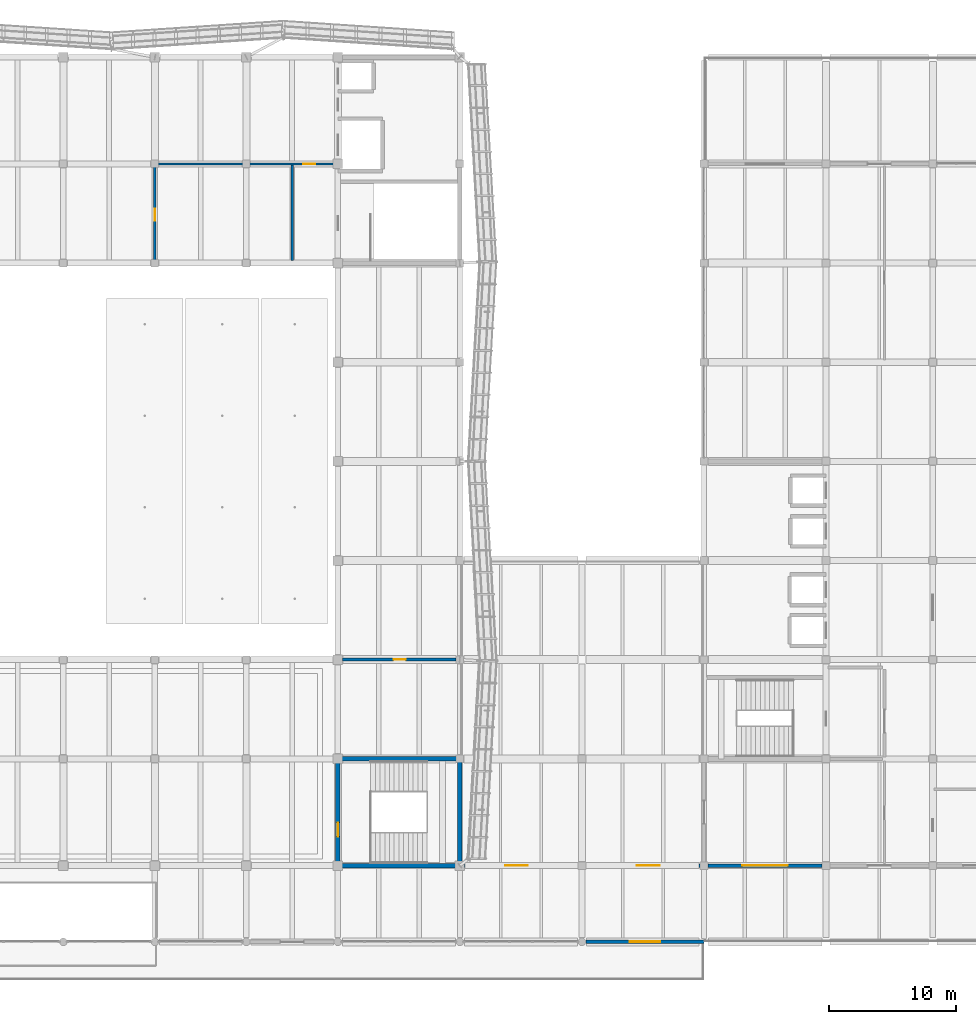
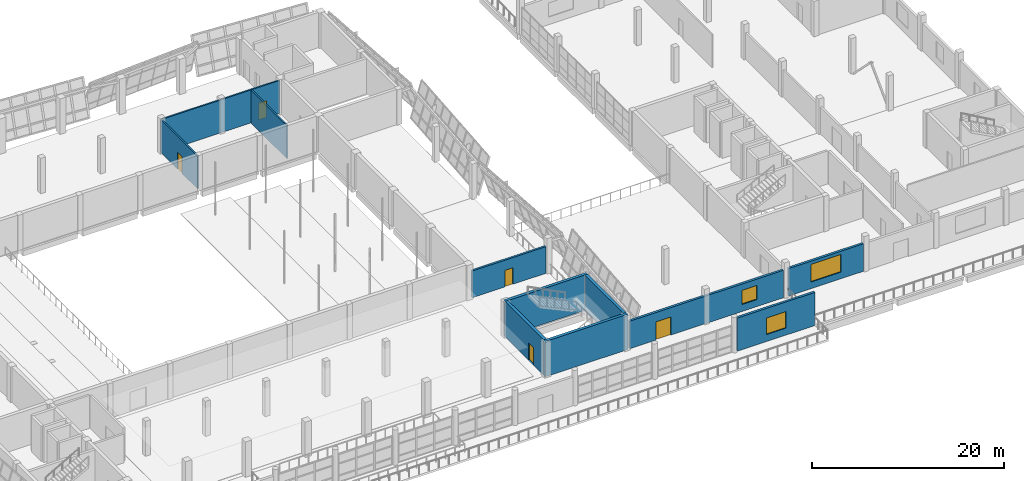
# One storey, part 56 of 71: 11 walls, 5 doors, 3 windows, 8 openings.
"""IFC4 building model written with IfcOpenShell, lengths in metres."""

import ifcopenshell
import ifcopenshell.guid

model = None  # the IFC model being written
_history = None  # IfcOwnerHistory: only IFC2X3 demands one
_inside = {}  # id of a spatial element -> (the spatial element, [elements in it])
_under = {}  # id of a project, library or spatial element -> (it, [spatial elements below it])
_declared = {}  # id of a project -> (the project, [libraries it declares])
_typed = {}  # id of a type object -> (the type object, [elements of that type])
_made_of = {}  # id of a material, layer set ... -> (it, [elements and type objects made of it])


def new_model(schema):
    """Start an empty IFC model of exactly this schema.

    Asked for "IFC4X3", IfcOpenShell would pick the latest addendum, in which some entities
    have other attributes; the version numbers below select the first issue.
    IFC2X3 requires an IfcOwnerHistory on every rooted entity: one is made here for all.
    """
    global model, _history
    if schema == "IFC4X3":
        model = ifcopenshell.file(schema_version=(4, 3, 0, 0))
    else:
        model = ifcopenshell.file(schema=schema)
    _inside.clear()
    _under.clear()
    _declared.clear()
    _typed.clear()
    _made_of.clear()
    _history = None
    if model.schema == "IFC2X3":
        org = make("IfcOrganization", Name="unknown")
        user = make(
            "IfcPersonAndOrganization",
            ThePerson=make("IfcPerson", FamilyName="unknown"),
            TheOrganization=org,
        )
        app = make(
            "IfcApplication",
            ApplicationDeveloper=org,
            Version="unknown",
            ApplicationFullName="unknown",
            ApplicationIdentifier="unknown",
        )
        _history = make(
            "IfcOwnerHistory",
            OwningUser=user,
            OwningApplication=app,
            ChangeAction="ADDED",
            CreationDate=0,
        )
    return model


def make(cls, **values):
    """One entity of the class cls with the attributes given. An attribute that is None is left unset."""
    return model.create_entity(
        cls, **{name: value for name, value in values.items() if value is not None}
    )


def rooted(cls, **values):
    """An entity with a GlobalId (a new one), such as an element, a storey or a relation."""
    return make(cls, GlobalId=ifcopenshell.guid.new(), OwnerHistory=_history, **values)


def si_unit(unit_type, name, prefix=None):
    """IfcSIUnit, for example si_unit("LENGTHUNIT", "METRE", prefix="MILLI")."""
    return make("IfcSIUnit", UnitType=unit_type, Prefix=prefix, Name=name)


def assignment(units):
    """IfcUnitAssignment: the units of a project."""
    return None if units is None else make("IfcUnitAssignment", Units=units)


def point(xyz):
    """IfcCartesianPoint."""
    return None if xyz is None else make("IfcCartesianPoint", Coordinates=xyz)


def direction(xyz):
    """IfcDirection."""
    return None if xyz is None else make("IfcDirection", DirectionRatios=xyz)


def frame(location, z_axis=None, x_axis=None):
    """IfcAxis2Placement3D, a coordinate frame: its origin and axes. An axis left out is left unset."""
    return make(
        "IfcAxis2Placement3D",
        Location=point(location),
        Axis=direction(z_axis),
        RefDirection=direction(x_axis),
    )


def frame_2d(location, x_axis=None):
    """IfcAxis2Placement2D, a coordinate frame in the plane: its origin and x axis."""
    return make(
        "IfcAxis2Placement2D", Location=point(location), RefDirection=direction(x_axis)
    )


def origin():
    """The frame at (0, 0, 0) with its axes left unset."""
    return frame((0.0, 0.0, 0.0))


def place(relative_to, where):
    """IfcLocalPlacement: puts the frame where relative to a parent placement (None: the world)."""
    return make(
        "IfcLocalPlacement", PlacementRelTo=relative_to, RelativePlacement=where
    )


def context(
    kind, dimensions, precision=None, world=None, true_north=None, identifier=None
):
    """IfcGeometricRepresentationContext, for example the 3D "Model" context."""
    return make(
        "IfcGeometricRepresentationContext",
        ContextIdentifier=identifier,
        ContextType=kind,
        CoordinateSpaceDimension=dimensions,
        Precision=precision,
        WorldCoordinateSystem=world,
        TrueNorth=true_north,
    )


def subcontext(parent, identifier, kind, view, scale=None):
    """IfcGeometricRepresentationSubContext, for example "Body" below "Model"."""
    return make(
        "IfcGeometricRepresentationSubContext",
        ContextIdentifier=identifier,
        ContextType=kind,
        ParentContext=parent,
        TargetScale=scale,
        TargetView=view,
    )


def project(units=None, contexts=None):
    """IfcProject with its units and contexts."""
    return rooted(
        "IfcProject",
        Name="project",
        RepresentationContexts=contexts,
        UnitsInContext=assignment(units),
    )


def spatial(cls, under=None, at=None, **own):
    """A site, building, storey or space (cls), placed at a placement, below another one or the project."""
    s = rooted(cls, ObjectPlacement=at, **own)
    if under is not None:
        _under.setdefault(under.id(), (under, []))[1].append(s)
    return s


def profile(cls, at=None, kind="AREA", **sizes):
    """A parametric profile (cls). Its sizes go by their IFC names, for example OverallWidth=200.0."""
    return make(cls, ProfileType=kind, Position=at, **sizes)


def rectangle(**sizes):
    """IfcRectangleProfileDef."""
    return profile("IfcRectangleProfileDef", **sizes)


def extrude(swept, where, along, depth):
    """IfcExtrudedAreaSolid: the profile swept, set in the frame where, extruded along a direction by depth."""
    return make(
        "IfcExtrudedAreaSolid",
        SweptArea=swept,
        Position=where,
        ExtrudedDirection=direction(along),
        Depth=depth,
    )


def shape(context_of_items, identifier, shape_type, items):
    """IfcShapeRepresentation: the items that make up one representation, for example the "Body"."""
    return make(
        "IfcShapeRepresentation",
        ContextOfItems=context_of_items,
        RepresentationIdentifier=identifier,
        RepresentationType=shape_type,
        Items=items,
    )


def material(Name=None, Category=None):
    """IfcMaterial."""
    return make("IfcMaterial", Name=Name, Category=Category)


def layer(
    of_material, thickness, ventilated=None, Name=None, Category=None, Priority=None
):
    """IfcMaterialLayer: one layer of a wall or slab, of a material (None: an air gap)."""
    return make(
        "IfcMaterialLayer",
        Material=of_material,
        LayerThickness=thickness,
        IsVentilated=ventilated,
        Name=Name,
        Category=Category,
        Priority=Priority,
    )


def layer_set(layers, Name=None):
    """IfcMaterialLayerSet."""
    return make("IfcMaterialLayerSet", MaterialLayers=layers, LayerSetName=Name)


def made_of(thing, what):
    """Note that an element or type object is made of a material, layer set ...; save() writes the relation."""
    if what is not None:
        _made_of.setdefault(what.id(), (what, []))[1].append(thing)
    return thing


def type_object(cls, material=None, **own):
    """A type object (cls), such as IfcWallType, which elements share."""
    return made_of(rooted(cls, **own), material)


def element(
    cls,
    number,
    at=None,
    inside=None,
    cuts=None,
    type_object=None,
    material=None,
    context=None,
    identifier="Body",
    shape_type=None,
    held_by="IfcProductDefinitionShape",
    body=None,
    shapes=None,
    **own,
):
    """One element of the class cls, such as IfcWall. Its Tag is "e" and its number.

    at: its placement. inside: the storey or other place that contains it. cuts: it is an
    opening in that element (IfcRelVoidsElement). A single representation is given by context,
    identifier, shape_type and body (its items); several are given by shapes. held_by: the class
    of the entity that holds the representations. save() writes the other relations.
    """
    e = rooted(cls, Tag="e%d" % number, ObjectPlacement=at, **own)
    if body is not None:
        shapes = [shape(context, identifier, shape_type, body)]
    if shapes is not None:
        e.Representation = make(held_by, Representations=shapes)
    if inside is not None:
        _inside.setdefault(inside.id(), (inside, []))[1].append(e)
    if cuts is not None:
        rooted(
            "IfcRelVoidsElement", RelatingBuildingElement=cuts, RelatedOpeningElement=e
        )
    if type_object is not None:
        _typed.setdefault(type_object.id(), (type_object, []))[1].append(e)
    return made_of(e, material)


def fill(opening, filler):
    """IfcRelFillsElement: the door or window that sits in an opening."""
    return rooted(
        "IfcRelFillsElement",
        RelatingOpeningElement=opening,
        RelatedBuildingElement=filler,
    )


def aggregate(whole, parts):
    """IfcRelAggregates: a whole, such as a stair, and the parts it consists of."""
    return rooted("IfcRelAggregates", RelatingObject=whole, RelatedObjects=parts)


def save(model, path):
    """Write the relations noted so far, then the file.

    IfcRelAggregates (storeys below a building ...), IfcRelContainedInSpatialStructure (elements
    in a storey), IfcRelDefinesByType, IfcRelAssociatesMaterial and IfcRelDeclares: one each for
    every whole, place, type object, material and project.
    """
    for whole, parts in _under.values():
        aggregate(whole, parts)
    for where, things in _inside.values():
        rooted(
            "IfcRelContainedInSpatialStructure",
            RelatedElements=things,
            RelatingStructure=where,
        )
    for kind, things in _typed.values():
        rooted("IfcRelDefinesByType", RelatedObjects=things, RelatingType=kind)
    for what, things in _made_of.values():
        rooted("IfcRelAssociatesMaterial", RelatedObjects=things, RelatingMaterial=what)
    for by, libraries in _declared.values():
        rooted("IfcRelDeclares", RelatingContext=by, RelatedDefinitions=libraries)
    model.write(path)


model = new_model("IFC4")

# Units and contexts
model_context = context("Model", 3, precision=1e-05, world=origin(), true_north=direction((0.0, 1.0)))
body_context = subcontext(model_context, "Body", "Model", "MODEL_VIEW")
ifc_project = project(units=[si_unit("LENGTHUNIT", "METRE"), si_unit("AREAUNIT", "SQUARE_METRE"), si_unit("VOLUMEUNIT", "CUBIC_METRE"), si_unit("PLANEANGLEUNIT", "RADIAN"), si_unit("MASSUNIT", "GRAM", prefix="KILO")], contexts=[model_context])

# Site, building, storey
site_placement = place(None, origin())
site = spatial("IfcSite", under=ifc_project, at=site_placement, CompositionType="ELEMENT")
building_placement = place(site_placement, origin())
building = spatial("IfcBuilding", under=site, at=building_placement, Name="Pellamere Symphony Hall", CompositionType="ELEMENT")
storey_placement = place(building_placement, frame((0.0, 0.0, 15.0)))
storey = spatial("IfcBuildingStorey", under=building, at=storey_placement, Name="L03", CompositionType="ELEMENT", Elevation=15.0)

# Wall, opening, window
ifc_material_1 = material(Name="Architectural Limestone-Clad Insulated Backing Assembly", Category="masonry")
ifc_layer_1 = layer(ifc_material_1, 0.280029296875, Name="Architectural Limestone-Clad Insulated Backing Assembly")
ifc_layer_set_1 = layer_set([ifc_layer_1], Name="Architectural Limestone-Clad Insulated Backing Assembly")
wall_type_1 = type_object("IfcWallType", Name="Exterior Wall EW-03 280mm", PredefinedType="SOLIDWALL", material=ifc_layer_set_1)
wall_1_placement = place(storey_placement, frame((128.699951171875, 24.0, 0.0), z_axis=(0.0, 0.0, 1.0), x_axis=(1.0, 0.0, 0.0)))
wall_1 = element("IfcWall", 1, at=wall_1_placement, inside=storey, type_object=wall_type_1, Name="Exterior Wall EW-03-055 (L03)", PredefinedType="SOLIDWALL", context=body_context, shape_type="SweptSolid", body=[
    extrude(rectangle(XDim=9.300048828125, YDim=0.280029296875, at=frame_2d((4.64990234375, 0.0))), origin(), (0.0, 0.0, 1.0), 4.219970703125),
])
opening_1_placement = place(wall_1_placement, frame((3.449951171875, 0.0, 0.89990234375)))
opening_1 = element("IfcOpeningElement", 2, at=opening_1_placement, cuts=wall_1, Name="Opening W032", PredefinedType="OPENING", context=body_context, shape_type="SweptSolid", body=[
    extrude(rectangle(XDim=2.39990234375, YDim=2.10009765625, at=frame_2d((1.199951171875, 1.050048828125))), frame((0.0, 0.14990234375, 0.0), z_axis=(0.0, -1.0, 0.0), x_axis=(1.0, 0.0, 0.0)), (0.0, 0.0, 1.0), 0.300048828125),
])
ifc_material_2 = material(Name="Thermally Broken Aluminium Triple-Glazed Acoustic Window", Category="aluminium")
window_type_1 = type_object("IfcWindowType", Name="Window WN-02 2400x2100", PartitioningType="DOUBLE_PANEL_VERTICAL", PredefinedType="WINDOW", material=ifc_material_2)
window_1_placement = place(opening_1_placement, origin())
window_1 = element("IfcWindow", 3, at=window_1_placement, inside=storey, type_object=window_type_1, Name="Exterior Window W032 (L03)", OverallHeight=2.10009765625, OverallWidth=2.39990234375, PartitioningType="SINGLE_PANEL", PredefinedType="WINDOW", context=body_context, shape_type="SweptSolid", body=[
    extrude(rectangle(XDim=2.39990234375, YDim=2.10009765625, at=frame_2d((1.199951171875, 1.050048828125))), frame((0.0, 0.030029296875, 0.0), z_axis=(0.0, -1.0, 0.0), x_axis=(1.0, 0.0, 0.0)), (0.0, 0.0, 1.0), 0.06005859375),
])
fill(opening_1, window_1)

# Wall, openings, door, window
wall_2_placement = place(storey_placement, frame((119.175048828125, 30.0, 0.0), z_axis=(0.0, 0.0, 1.0), x_axis=(1.0, 0.0, 0.0)))
wall_2 = element("IfcWall", 4, at=wall_2_placement, inside=storey, type_object=wall_type_1, Name="Exterior Wall EW-03-067 (L03)", PredefinedType="SOLIDWALL", context=body_context, shape_type="SweptSolid", body=[
    extrude(rectangle(XDim=18.52490234375, YDim=0.280029296875, at=frame_2d((9.262451171875, 0.0))), origin(), (0.0, 0.0, 1.0), 3.5),
])
opening_2_placement = place(wall_2_placement, frame((13.549560546875, 0.0, 0.89990234375)))
opening_2 = element("IfcOpeningElement", 5, at=opening_2_placement, cuts=wall_2, Name="Opening W041", PredefinedType="OPENING", context=body_context, shape_type="SweptSolid", body=[
    extrude(rectangle(XDim=1.800048828125, YDim=1.800048828125, at=frame_2d((0.89990234375, 0.89990234375))), frame((0.0, 0.14990234375, 0.0), z_axis=(0.0, -1.0, 0.0), x_axis=(1.0, 0.0, 0.0)), (0.0, 0.0, 1.0), 0.300048828125),
])
opening_3_placement = place(wall_2_placement, frame((3.175537109375, 0.0, 0.0)))
opening_3 = element("IfcOpeningElement", 6, at=opening_3_placement, cuts=wall_2, Name="Opening TD-07A", PredefinedType="OPENING", context=body_context, shape_type="SweptSolid", body=[
    extrude(rectangle(XDim=1.800048828125, YDim=2.300048828125, at=frame_2d((0.89990234375, 1.14990234375))), frame((0.0, 0.14990234375, 0.0), z_axis=(0.0, -1.0, 0.0), x_axis=(1.0, 0.0, 0.0)), (0.0, 0.0, 1.0), 0.300048828125),
])
ifc_material_3 = material(Name="Thermally Broken Bronze-Anodised Aluminium Acoustic Door", Category="aluminium")
door_type_1 = type_object("IfcDoorType", Name="Exterior Door ED-06 1800x2300", OperationType="NOTDEFINED", PredefinedType="DOOR", material=ifc_material_3)
door_1_placement = place(opening_3_placement, origin())
door_1 = element("IfcDoor", 7, at=door_1_placement, inside=storey, type_object=door_type_1, Name="Concourse to Sculpture Belvedere Terrace Door", OperationType="DOUBLE_DOOR_SINGLE_SWING", OverallHeight=2.300048828125, OverallWidth=1.800048828125, PredefinedType="DOOR", context=body_context, shape_type="SweptSolid", body=[
    extrude(rectangle(XDim=1.800048828125, YDim=2.300048828125, at=frame_2d((0.89990234375, 1.14990234375))), frame((0.0, 0.02490234375, 0.0), z_axis=(0.0, -1.0, 0.0), x_axis=(1.0, 0.0, 0.0)), (0.0, 0.0, 1.0), 0.050048828125),
])
fill(opening_3, door_1)
window_type_2 = type_object("IfcWindowType", Name="Window WN-03 1800x1800", PartitioningType="DOUBLE_PANEL_VERTICAL", PredefinedType="WINDOW", material=ifc_material_2)
window_2_placement = place(opening_2_placement, origin())
window_2 = element("IfcWindow", 8, at=window_2_placement, inside=storey, type_object=window_type_2, Name="Exterior Window W041 (L03)", OverallHeight=1.800048828125, OverallWidth=1.800048828125, PartitioningType="SINGLE_PANEL", PredefinedType="WINDOW", context=body_context, shape_type="SweptSolid", body=[
    extrude(rectangle(XDim=1.800048828125, YDim=1.800048828125, at=frame_2d((0.89990234375, 0.89990234375))), frame((0.0, 0.030029296875, 0.0), z_axis=(0.0, -1.0, 0.0), x_axis=(1.0, 0.0, 0.0)), (0.0, 0.0, 1.0), 0.06005859375),
])
fill(opening_2, window_2)

# Wall, opening, window
wall_3_placement = place(storey_placement, frame((138.300048828125, 30.0, 0.0), z_axis=(0.0, 0.0, 1.0), x_axis=(1.0, 0.0, 0.0)))
wall_3 = element("IfcWall", 9, at=wall_3_placement, inside=storey, type_object=wall_type_1, Name="Exterior Wall EW-03-111 (L03)", PredefinedType="SOLIDWALL", context=body_context, shape_type="SweptSolid", body=[
    extrude(rectangle(XDim=9.0, YDim=0.280029296875, at=frame_2d((4.5, 0.0))), origin(), (0.0, 0.0, 1.0), 3.5),
])
opening_4_placement = place(wall_3_placement, frame((2.699951171875, 0.0, 0.85009765625)))
opening_4 = element("IfcOpeningElement", 10, at=opening_4_placement, cuts=wall_3, Name="Opening W074", PredefinedType="OPENING", context=body_context, shape_type="SweptSolid", body=[
    extrude(rectangle(XDim=3.60009765625, YDim=2.25, at=frame_2d((1.800048828125, 1.125))), frame((0.0, 0.14990234375, 0.0), z_axis=(0.0, -1.0, 0.0), x_axis=(1.0, 0.0, 0.0)), (0.0, 0.0, 1.0), 0.300048828125),
])
window_type_3 = type_object("IfcWindowType", Name="Window WN-05 3600x2250", PartitioningType="TRIPLE_PANEL_VERTICAL", PredefinedType="WINDOW", material=ifc_material_2)
window_3_placement = place(opening_4_placement, origin())
window_3 = element("IfcWindow", 11, at=window_3_placement, inside=storey, type_object=window_type_3, Name="Exterior Window W074 (L03)", OverallHeight=2.25, OverallWidth=3.60009765625, PartitioningType="SINGLE_PANEL", PredefinedType="WINDOW", context=body_context, shape_type="SweptSolid", body=[
    extrude(rectangle(XDim=3.60009765625, YDim=2.25, at=frame_2d((1.800048828125, 1.125))), frame((0.0, 0.030029296875, 0.0), z_axis=(0.0, -1.0, 0.0), x_axis=(1.0, 0.0, 0.0)), (0.0, 0.0, 1.0), 0.06005859375),
])
fill(opening_4, window_3)

# Wall, opening, door
ifc_material_4 = material(Name="Double-Stud STC-65 Acoustic Drywall Partition", Category="gypsum")
ifc_layer_2 = layer(ifc_material_4, 0.239990234375, Name="Double-Stud STC-65 Acoustic Drywall Partition")
ifc_layer_set_2 = layer_set([ifc_layer_2], Name="Double-Stud STC-65 Acoustic Drywall Partition")
wall_type_2 = type_object("IfcWallType", Name="Interior Partition IW-01 240mm", PredefinedType="PARTITIONING", material=ifc_layer_set_2)
wall_4_placement = place(storey_placement, frame((109.580078125, 46.199951171875, 0.0), z_axis=(0.0, 0.0, 1.0), x_axis=(1.0, 0.0, 0.0)))
wall_4 = element("IfcWall", 12, at=wall_4_placement, inside=storey, type_object=wall_type_2, Name="Interior Partition IW-01-091 (L03)", PredefinedType="PARTITIONING", context=body_context, shape_type="SweptSolid", body=[
    extrude(rectangle(XDim=8.909912109375, YDim=0.239990234375, at=frame_2d((4.455078125, 0.0))), origin(), (0.0, 0.0, 1.0), 3.39990234375),
])
opening_5_placement = place(wall_4_placement, frame((4.0, 0.0, 0.0)))
opening_5 = element("IfcOpeningElement", 13, at=opening_5_placement, cuts=wall_4, Name="Opening FD-127", PredefinedType="OPENING", context=body_context, shape_type="SweptSolid", body=[
    extrude(rectangle(XDim=0.949951171875, YDim=2.10009765625, at=frame_2d((0.47509765625, 1.050048828125))), frame((0.0, 0.1298828125, 0.0), z_axis=(0.0, -1.0, 0.0), x_axis=(1.0, 0.0, 0.0)), (0.0, 0.0, 1.0), 0.260009765625),
])
ifc_material_5 = material(Name="Two-Hour Fire-Rated Steel Compartment Door", Category="steel")
door_type_2 = type_object("IfcDoorType", Name="Interior Door ID-FD3 950x2100", OperationType="NOTDEFINED", PredefinedType="DOOR", material=ifc_material_5)
door_2_placement = place(opening_5_placement, origin())
door_2 = element("IfcDoor", 14, at=door_2_placement, inside=storey, type_object=door_type_2, Name="Organ Blower and Relay Chamber Access Door", OperationType="SINGLE_SWING_RIGHT", OverallHeight=2.10009765625, OverallWidth=0.949951171875, PredefinedType="DOOR", context=body_context, shape_type="SweptSolid", body=[
    extrude(rectangle(XDim=0.949951171875, YDim=2.10009765625, at=frame_2d((0.47509765625, 1.050048828125))), frame((0.0, 0.02490234375, 0.0), z_axis=(0.0, -1.0, 0.0), x_axis=(1.0, 0.0, 0.0)), (0.0, 0.0, 1.0), 0.050048828125),
])
fill(opening_5, door_2)

ifc_material_6 = material(Name="Moisture-Resistant Ceramic-Tiled Washroom Wall", Category="gypsum")
ifc_layer_3 = layer(ifc_material_6, 0.179931640625, Name="Moisture-Resistant Ceramic-Tiled Washroom Wall")
ifc_layer_set_3 = layer_set([ifc_layer_3], Name="Moisture-Resistant Ceramic-Tiled Washroom Wall")
wall_type_3 = type_object("IfcWallType", Name="Interior Partition IW-06 180mm", PredefinedType="PARTITIONING", material=ifc_layer_set_3)
wall_5_placement = place(storey_placement, frame((94.800048828125, 77.550048828125, 0.0), z_axis=(0.0, 0.0, 1.0), x_axis=(0.0, 1.0, 0.0)))
wall_5 = element("IfcWall", 15, at=wall_5_placement, inside=storey, type_object=wall_type_3, Name="Interior Partition IW-06-088 (L03)", PredefinedType="PARTITIONING", context=body_context, shape_type="SweptSolid", body=[
    extrude(rectangle(XDim=7.64990234375, YDim=0.179931640625, at=frame_2d((3.824951171875, 0.0))), origin(), (0.0, 0.0, 1.0), 4.18994140625),
])
opening_6_placement = place(wall_5_placement, frame((3.199951171875, 0.0, 0.0)))
opening_6 = element("IfcOpeningElement", 16, at=opening_6_placement, cuts=wall_5, Name="Opening ID-WC1-051", PredefinedType="OPENING", context=body_context, shape_type="SweptSolid", body=[
    extrude(rectangle(XDim=0.919921875, YDim=2.14990234375, at=frame_2d((0.4599609375, 1.074951171875))), frame((0.0, 0.099853515625, 0.0), z_axis=(0.0, -1.0, 0.0), x_axis=(1.0, 0.0, 0.0)), (0.0, 0.0, 1.0), 0.199951171875),
])
ifc_material_7 = material(Name="Accessible Washroom Privacy Door", Category="wood")
door_type_3 = type_object("IfcDoorType", Name="Interior Door ID-WC1 920x2150", OperationType="NOTDEFINED", PredefinedType="DOOR", material=ifc_material_7)
door_3_placement = place(opening_6_placement, origin())
door_3 = element("IfcDoor", 17, at=door_3_placement, inside=storey, type_object=door_type_3, Name="Choir Gallery Washrooms Door", OperationType="SINGLE_SWING_LEFT", OverallHeight=2.14990234375, OverallWidth=0.919921875, PredefinedType="DOOR", context=body_context, shape_type="SweptSolid", body=[
    extrude(rectangle(XDim=0.919921875, YDim=2.14990234375, at=frame_2d((0.4599609375, 1.074951171875))), frame((0.0, 0.02490234375, 0.0), z_axis=(0.0, -1.0, 0.0), x_axis=(1.0, 0.0, 0.0)), (0.0, 0.0, 1.0), 0.050048828125),
])
fill(opening_6, door_3)

wall_6_placement = place(storey_placement, frame((94.889892578125, 85.199951171875, 0.0), z_axis=(0.0, 0.0, 1.0), x_axis=(1.0, 0.0, 0.0)))
wall_6 = element("IfcWall", 18, at=wall_6_placement, inside=storey, type_object=wall_type_3, Name="Interior Partition IW-06-089 (L03)", PredefinedType="PARTITIONING", context=body_context, shape_type="SweptSolid", body=[
    extrude(rectangle(XDim=14.130126953125, YDim=0.179931640625, at=frame_2d((7.06494140625, 0.0))), origin(), (0.0, 0.0, 1.0), 4.18994140625),
])
opening_7_placement = place(wall_6_placement, frame((11.60009765625, 0.0, 0.0)))
opening_7 = element("IfcOpeningElement", 19, at=opening_7_placement, cuts=wall_6, Name="Opening ID-WC1-052", PredefinedType="OPENING", context=body_context, shape_type="SweptSolid", body=[
    extrude(rectangle(XDim=0.919921875, YDim=2.14990234375, at=frame_2d((0.4599609375, 1.074951171875))), frame((0.0, 0.099853515625, 0.0), z_axis=(0.0, -1.0, 0.0), x_axis=(1.0, 0.0, 0.0)), (0.0, 0.0, 1.0), 0.199951171875),
])
door_4_placement = place(opening_7_placement, origin())
door_4 = element("IfcDoor", 20, at=door_4_placement, inside=storey, type_object=door_type_3, Name="Choir Gallery Accessible WC Door", OperationType="SINGLE_SWING_RIGHT", OverallHeight=2.14990234375, OverallWidth=0.919921875, PredefinedType="DOOR", context=body_context, shape_type="SweptSolid", body=[
    extrude(rectangle(XDim=0.919921875, YDim=2.14990234375, at=frame_2d((0.4599609375, 1.074951171875))), frame((0.0, 0.02490234375, 0.0), z_axis=(0.0, -1.0, 0.0), x_axis=(1.0, 0.0, 0.0)), (0.0, 0.0, 1.0), 0.050048828125),
])
fill(opening_7, door_4)

# Walls
wall_7_placement = place(storey_placement, frame((105.60009765625, 77.6201171875, 0.0), z_axis=(0.0, 0.0, 1.0), x_axis=(0.0, 1.0, 0.0)))
element("IfcWall", 21, at=wall_7_placement, inside=storey, type_object=wall_type_3, Name="Interior Partition IW-06-090 (L03)", PredefinedType="PARTITIONING", context=body_context, shape_type="SweptSolid", body=[
    extrude(rectangle(XDim=7.47998046875, YDim=0.179931640625, at=frame_2d((3.739990234375, 0.0))), origin(), (0.0, 0.0, 1.0), 4.18994140625),
])
ifc_material_8 = material(Name="Concrete 40 MPa", Category="concrete")
ifc_layer_4 = layer(ifc_material_8, 0.35009765625, Name="Concrete 40 MPa")
ifc_layer_set_4 = layer_set([ifc_layer_4], Name="Concrete 40 MPa")
wall_type_4 = type_object("IfcWallType", Name="Structural Wall SW-03 350mm", PredefinedType="SHEAR", material=ifc_layer_set_4)
for number, where, z_axis, x_axis, name in (
    (22, (109.02490234375, 30.0, 0.0), (0.0, 0.0, 1.0), (1.0, 0.0, 0.0), "Stair ST08 Enclosure Wall S (L03)"),
    (23, (109.02490234375, 38.39990234375, 0.0), (0.0, 0.0, 1.0), (1.0, 0.0, 0.0), "Stair ST08 Enclosure Wall N (L03)"),
):
    element("IfcWall", number, at=place(storey_placement, frame(where, z_axis=z_axis, x_axis=x_axis)), inside=storey, type_object=wall_type_4, Name=name, PredefinedType="SHEAR", context=body_context, shape_type="SweptSolid", body=[
        extrude(rectangle(XDim=9.9501953125, YDim=0.35009765625, at=frame_2d((4.97509765625, 0.0))), origin(), (0.0, 0.0, 1.0), 4.5),
    ])

# Wall, opening, door
wall_8_placement = place(storey_placement, frame((109.199951171875, 30.175048828125, 0.0), z_axis=(0.0, 0.0, 1.0), x_axis=(0.0, 1.0, 0.0)))
wall_8 = element("IfcWall", 24, at=wall_8_placement, inside=storey, type_object=wall_type_4, Name="Stair ST08 Enclosure Wall W (L03)", PredefinedType="SHEAR", context=body_context, shape_type="SweptSolid", body=[
    extrude(rectangle(XDim=8.050048828125, YDim=0.35009765625, at=frame_2d((4.02490234375, 0.0))), origin(), (0.0, 0.0, 1.0), 4.5),
])
opening_8_placement = place(wall_8_placement, frame((2.10009765625, 0.0, 0.0)))
opening_8 = element("IfcOpeningElement", 25, at=opening_8_placement, cuts=wall_8, Name="Opening SD-47", PredefinedType="OPENING", context=body_context, shape_type="SweptSolid", body=[
    extrude(rectangle(XDim=1.10009765625, YDim=2.199951171875, at=frame_2d((0.550048828125, 1.10009765625))), frame((0.0, 0.18505859375, 0.0), z_axis=(0.0, -1.0, 0.0), x_axis=(1.0, 0.0, 0.0)), (0.0, 0.0, 1.0), 0.3701171875),
])
ifc_material_9 = material(Name="Fire-Rated Steel Exit Stair Door", Category="steel")
door_type_4 = type_object("IfcDoorType", Name="Interior Door ID-SD1 1100x2200", OperationType="NOTDEFINED", PredefinedType="DOOR", material=ifc_material_9)
door_5_placement = place(opening_8_placement, frame((1.10009765625, 0.0, 0.0), z_axis=(0.0, 0.0, 1.0), x_axis=(-1.0, 0.0, 0.0)))
door_5 = element("IfcDoor", 26, at=door_5_placement, inside=storey, type_object=door_type_4, Name="Exit Stair ST08 Door (L03)", OperationType="SINGLE_SWING_LEFT", OverallHeight=2.199951171875, OverallWidth=1.10009765625, PredefinedType="DOOR", context=body_context, shape_type="SweptSolid", body=[
    extrude(rectangle(XDim=1.10009765625, YDim=2.199951171875, at=frame_2d((0.550048828125, 1.10009765625))), frame((0.0, 0.02490234375, 0.0), z_axis=(0.0, -1.0, 0.0), x_axis=(1.0, 0.0, 0.0)), (0.0, 0.0, 1.0), 0.050048828125),
])
fill(opening_8, door_5)

# Wall
wall_9_placement = place(storey_placement, frame((118.800048828125, 30.175048828125, 0.0), z_axis=(0.0, 0.0, 1.0), x_axis=(0.0, 1.0, 0.0)))
element("IfcWall", 27, at=wall_9_placement, inside=storey, type_object=wall_type_4, Name="Stair ST08 Enclosure Wall E (L03)", PredefinedType="SHEAR", context=body_context, shape_type="SweptSolid", body=[
    extrude(rectangle(XDim=8.050048828125, YDim=0.35009765625, at=frame_2d((4.02490234375, 0.0))), origin(), (0.0, 0.0, 1.0), 4.5),
])

save(model, "model.ifc")
